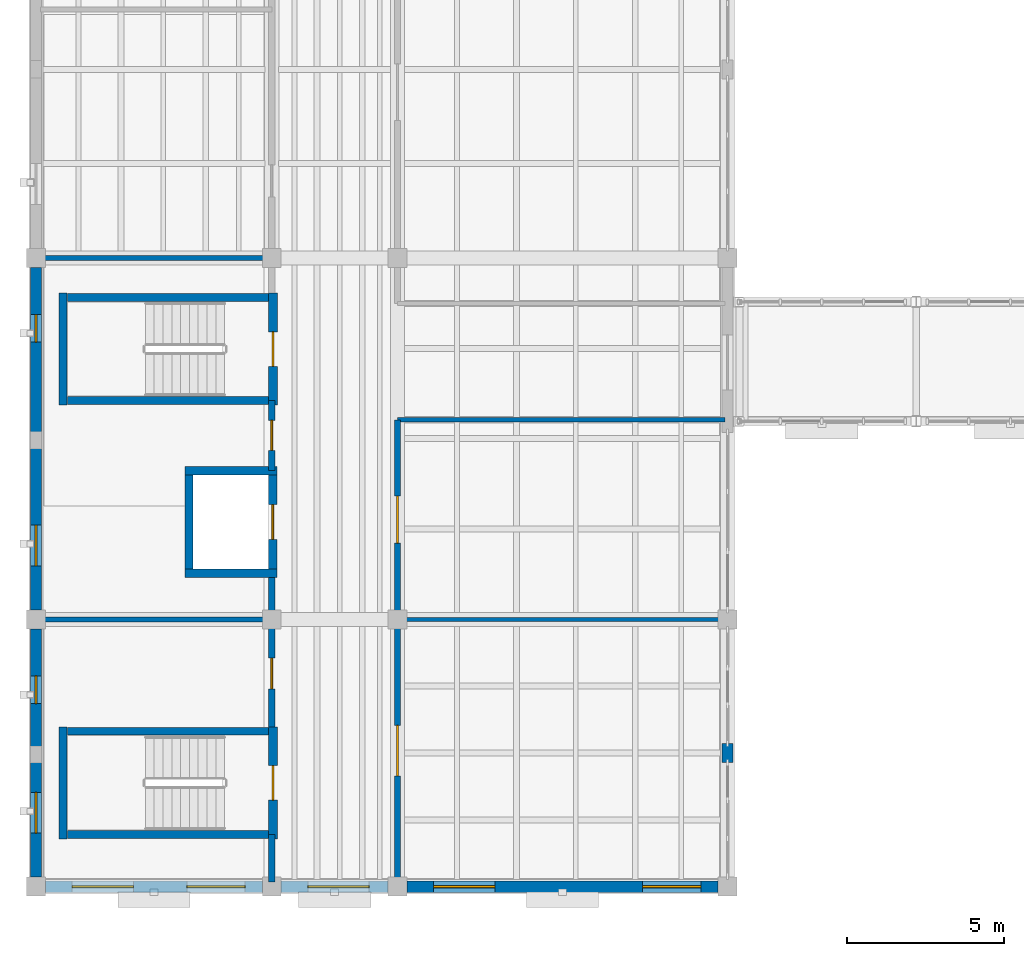
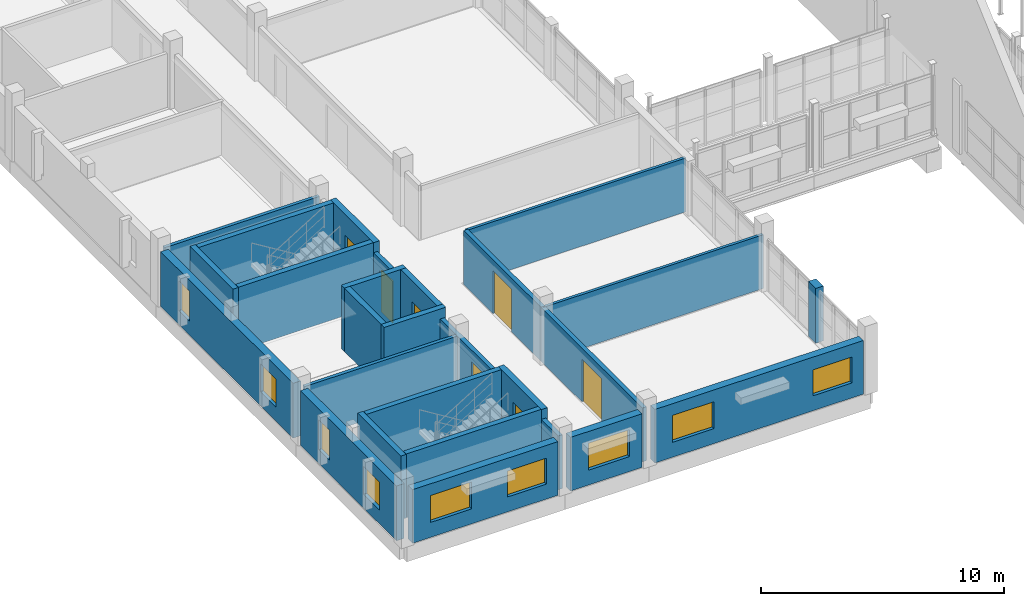
# One storey, part 60 of 77: 27 walls, 9 windows, 7 doors, 16 openings.
"""IFC4 building model written with IfcOpenShell, lengths in metres."""

from ifc_helpers import new_model, si_unit, direction, frame, frame_2d, origin, place, context, subcontext, project, spatial, rectangle, extrude, material, layer, layer_set, type_object, element, fill, save


model = new_model("IFC4")

# Units and contexts
model_context = context("Model", 3, precision=1e-05, world=origin(), true_north=direction((0.0, 1.0)))
body_context = subcontext(model_context, "Body", "Model", "MODEL_VIEW")
ifc_project = project(units=[si_unit("LENGTHUNIT", "METRE"), si_unit("AREAUNIT", "SQUARE_METRE"), si_unit("VOLUMEUNIT", "CUBIC_METRE"), si_unit("PLANEANGLEUNIT", "RADIAN"), si_unit("MASSUNIT", "GRAM", prefix="KILO")], contexts=[model_context])

# Site, building, storey
site_placement = place(None, origin())
site = spatial("IfcSite", under=ifc_project, at=site_placement, CompositionType="ELEMENT")
building_placement = place(site_placement, origin())
building = spatial("IfcBuilding", under=site, at=building_placement, Name="Trellovar Central Fire Station", CompositionType="ELEMENT")
storey_placement = place(building_placement, frame((0.0, 0.0, 5.85009765625)))
storey = spatial("IfcBuildingStorey", under=building, at=storey_placement, Name="L02", CompositionType="ELEMENT", Elevation=5.85009765625)

# Wall, openings, windows
ifc_material_1 = material(Name="Textured desert sandstone masonry", Category="masonry")
ifc_layer_1 = layer(ifc_material_1, 0.360107421875)
ifc_layer_set_1 = layer_set([ifc_layer_1], Name="Textured desert sandstone masonry")
wall_type_1 = type_object("IfcWallType", Name="EW-8", PredefinedType="STANDARD", material=ifc_layer_set_1)
wall_1_placement = place(storey_placement, frame((1.300048828125, 9.0, 0.0), z_axis=(0.0, 0.0, 1.0), x_axis=(1.0, 0.0, 0.0)))
wall_1 = element("IfcWall", 1, at=wall_1_placement, inside=storey, type_object=wall_type_1, Name="V4 L02 south wall 1", PredefinedType="STANDARD", context=body_context, shape_type="SweptSolid", body=[
    extrude(rectangle(XDim=6.89990234375, YDim=0.360107421875, at=frame_2d((3.449951171875, 0.0))), origin(), (0.0, 0.0, 1.0), 2.68994140625),
])
opening_1_placement = place(wall_1_placement, frame((0.85009765625, 0.0, 0.75)))
opening_1 = element("IfcOpeningElement", 2, at=opening_1_placement, cuts=wall_1, Name="Opening W-04", PredefinedType="OPENING", context=body_context, shape_type="SweptSolid", body=[
    extrude(rectangle(XDim=1.949951171875, YDim=1.35009765625, at=frame_2d((0.97509765625, 0.675048828125))), frame((0.0, 0.18994140625, 0.0), z_axis=(0.0, -1.0, 0.0), x_axis=(1.0, 0.0, 0.0)), (0.0, 0.0, 1.0), 0.380126953125),
])
opening_2_placement = place(wall_1_placement, frame((4.5, 0.0, 0.75)))
opening_2 = element("IfcOpeningElement", 3, at=opening_2_placement, cuts=wall_1, Name="Opening W-13", PredefinedType="OPENING", context=body_context, shape_type="SweptSolid", body=[
    extrude(rectangle(XDim=1.85009765625, YDim=1.300048828125, at=frame_2d((0.925048828125, 0.64990234375))), frame((0.0, 0.18994140625, 0.0), z_axis=(0.0, -1.0, 0.0), x_axis=(1.0, 0.0, 0.0)), (0.0, 0.0, 1.0), 0.380126953125),
])
ifc_material_2 = material(Name="Thermally broken bronze anodized aluminum", Category="aluminium")
window_type_1 = type_object("IfcWindowType", Name="WIN-04", PartitioningType="DOUBLE_PANEL_HORIZONTAL", PredefinedType="WINDOW", material=ifc_material_2)
window_1_placement = place(opening_1_placement, origin())
window_1 = element("IfcWindow", 4, at=window_1_placement, inside=storey, type_object=window_type_1, Name="L02 window W-04", OverallHeight=1.35009765625, OverallWidth=1.949951171875, PartitioningType="DOUBLE_PANEL_HORIZONTAL", PredefinedType="WINDOW", context=body_context, shape_type="SweptSolid", body=[
    extrude(rectangle(XDim=1.949951171875, YDim=1.35009765625, at=frame_2d((0.97509765625, 0.675048828125))), frame((0.0, 0.030029296875, 0.0), z_axis=(0.0, -1.0, 0.0), x_axis=(1.0, 0.0, 0.0)), (0.0, 0.0, 1.0), 0.06005859375),
])
fill(opening_1, window_1)
ifc_material_3 = material(Name="Thermally broken bronze anodized aluminum", Category="aluminium")
window_type_2 = type_object("IfcWindowType", Name="WIN-13", PartitioningType="DOUBLE_PANEL_HORIZONTAL", PredefinedType="WINDOW", material=ifc_material_3)
window_2_placement = place(opening_2_placement, origin())
window_2 = element("IfcWindow", 5, at=window_2_placement, inside=storey, type_object=window_type_2, Name="L02 window W-13", OverallHeight=1.300048828125, OverallWidth=1.85009765625, PartitioningType="DOUBLE_PANEL_HORIZONTAL", PredefinedType="WINDOW", context=body_context, shape_type="SweptSolid", body=[
    extrude(rectangle(XDim=1.85009765625, YDim=1.300048828125, at=frame_2d((0.925048828125, 0.64990234375))), frame((0.0, 0.030029296875, 0.0), z_axis=(0.0, -1.0, 0.0), x_axis=(1.0, 0.0, 0.0)), (0.0, 0.0, 1.0), 0.06005859375),
])
fill(opening_2, window_2)

# Wall, opening, window
wall_2_placement = place(storey_placement, frame((8.800048828125, 9.0, 0.0), z_axis=(0.0, 0.0, 1.0), x_axis=(1.0, 0.0, 0.0)))
wall_2 = element("IfcWall", 6, at=wall_2_placement, inside=storey, type_object=wall_type_1, Name="V4 L02 south wall 2", PredefinedType="STANDARD", context=body_context, shape_type="SweptSolid", body=[
    extrude(rectangle(XDim=3.39990234375, YDim=0.360107421875, at=frame_2d((1.699951171875, 0.0))), origin(), (0.0, 0.0, 1.0), 2.68994140625),
])
opening_3_placement = place(wall_2_placement, frame((0.85009765625, 0.0, 0.75)))
opening_3 = element("IfcOpeningElement", 7, at=opening_3_placement, cuts=wall_2, Name="Opening W-04", PredefinedType="OPENING", context=body_context, shape_type="SweptSolid", body=[
    extrude(rectangle(XDim=1.949951171875, YDim=1.35009765625, at=frame_2d((0.97509765625, 0.675048828125))), frame((0.0, 0.18994140625, 0.0), z_axis=(0.0, -1.0, 0.0), x_axis=(1.0, 0.0, 0.0)), (0.0, 0.0, 1.0), 0.380126953125),
])
window_3_placement = place(opening_3_placement, origin())
window_3 = element("IfcWindow", 8, at=window_3_placement, inside=storey, type_object=window_type_1, Name="L02 window W-04", OverallHeight=1.35009765625, OverallWidth=1.949951171875, PartitioningType="DOUBLE_PANEL_HORIZONTAL", PredefinedType="WINDOW", context=body_context, shape_type="SweptSolid", body=[
    extrude(rectangle(XDim=1.949951171875, YDim=1.35009765625, at=frame_2d((0.97509765625, 0.675048828125))), frame((0.0, 0.030029296875, 0.0), z_axis=(0.0, -1.0, 0.0), x_axis=(1.0, 0.0, 0.0)), (0.0, 0.0, 1.0), 0.06005859375),
])
fill(opening_3, window_3)

# Wall, openings, windows
wall_3_placement = place(storey_placement, frame((12.800048828125, 9.0, 0.0), z_axis=(0.0, 0.0, 1.0), x_axis=(1.0, 0.0, 0.0)))
wall_3 = element("IfcWall", 9, at=wall_3_placement, inside=storey, type_object=wall_type_1, Name="V4 L02 south wall 3", PredefinedType="STANDARD", context=body_context, shape_type="SweptSolid", body=[
    extrude(rectangle(XDim=9.89990234375, YDim=0.360107421875, at=frame_2d((4.949951171875, 0.0))), origin(), (0.0, 0.0, 1.0), 2.68994140625),
])
opening_4_placement = place(wall_3_placement, frame((0.85009765625, 0.0, 0.75)))
opening_4 = element("IfcOpeningElement", 10, at=opening_4_placement, cuts=wall_3, Name="Opening W-04", PredefinedType="OPENING", context=body_context, shape_type="SweptSolid", body=[
    extrude(rectangle(XDim=1.949951171875, YDim=1.35009765625, at=frame_2d((0.97509765625, 0.675048828125))), frame((0.0, 0.18994140625, 0.0), z_axis=(0.0, -1.0, 0.0), x_axis=(1.0, 0.0, 0.0)), (0.0, 0.0, 1.0), 0.380126953125),
])
opening_5_placement = place(wall_3_placement, frame((7.5, 0.0, 0.75)))
opening_5 = element("IfcOpeningElement", 11, at=opening_5_placement, cuts=wall_3, Name="Opening W-13", PredefinedType="OPENING", context=body_context, shape_type="SweptSolid", body=[
    extrude(rectangle(XDim=1.85009765625, YDim=1.300048828125, at=frame_2d((0.925048828125, 0.64990234375))), frame((0.0, 0.18994140625, 0.0), z_axis=(0.0, -1.0, 0.0), x_axis=(1.0, 0.0, 0.0)), (0.0, 0.0, 1.0), 0.380126953125),
])
window_4_placement = place(opening_4_placement, origin())
window_4 = element("IfcWindow", 12, at=window_4_placement, inside=storey, type_object=window_type_1, Name="L02 window W-04", OverallHeight=1.35009765625, OverallWidth=1.949951171875, PartitioningType="DOUBLE_PANEL_HORIZONTAL", PredefinedType="WINDOW", context=body_context, shape_type="SweptSolid", body=[
    extrude(rectangle(XDim=1.949951171875, YDim=1.35009765625, at=frame_2d((0.97509765625, 0.675048828125))), frame((0.0, 0.030029296875, 0.0), z_axis=(0.0, -1.0, 0.0), x_axis=(1.0, 0.0, 0.0)), (0.0, 0.0, 1.0), 0.06005859375),
])
fill(opening_4, window_4)
window_5_placement = place(opening_5_placement, origin())
window_5 = element("IfcWindow", 13, at=window_5_placement, inside=storey, type_object=window_type_2, Name="L02 window W-13", OverallHeight=1.300048828125, OverallWidth=1.85009765625, PartitioningType="DOUBLE_PANEL_HORIZONTAL", PredefinedType="WINDOW", context=body_context, shape_type="SweptSolid", body=[
    extrude(rectangle(XDim=1.85009765625, YDim=1.300048828125, at=frame_2d((0.925048828125, 0.64990234375))), frame((0.0, 0.030029296875, 0.0), z_axis=(0.0, -1.0, 0.0), x_axis=(1.0, 0.0, 0.0)), (0.0, 0.0, 1.0), 0.06005859375),
])
fill(opening_5, window_5)

wall_4_placement = place(storey_placement, frame((1.0, 17.199951171875, 0.0), z_axis=(0.0, 0.0, 1.0), x_axis=(0.0, -1.0, 0.0)))
wall_4 = element("IfcWall", 14, at=wall_4_placement, inside=storey, type_object=wall_type_1, Name="V4 L02 west wall", PredefinedType="STANDARD", context=body_context, shape_type="SweptSolid", body=[
    extrude(rectangle(XDim=7.89990234375, YDim=0.360107421875, at=frame_2d((3.949951171875, 0.0))), origin(), (0.0, 0.0, 1.0), 2.75),
])
opening_6_placement = place(wall_4_placement, frame((1.5, 0.0, 0.699951171875)))
opening_6 = element("IfcOpeningElement", 15, at=opening_6_placement, cuts=wall_4, Name="Opening W-07", PredefinedType="OPENING", context=body_context, shape_type="SweptSolid", body=[
    extrude(rectangle(XDim=0.8798828125, YDim=1.5, at=frame_2d((0.43994140625, 0.75))), frame((0.0, 0.18994140625, 0.0), z_axis=(0.0, -1.0, 0.0), x_axis=(1.0, 0.0, 0.0)), (0.0, 0.0, 1.0), 0.380126953125),
])
opening_7_placement = place(wall_4_placement, frame((5.199951171875, 0.0, 0.699951171875)))
opening_7 = element("IfcOpeningElement", 16, at=opening_7_placement, cuts=wall_4, Name="Opening W-09", PredefinedType="OPENING", context=body_context, shape_type="SweptSolid", body=[
    extrude(rectangle(XDim=1.300048828125, YDim=1.39990234375, at=frame_2d((0.64990234375, 0.699951171875))), frame((0.0, 0.18994140625, 0.0), z_axis=(0.0, -1.0, 0.0), x_axis=(1.0, 0.0, 0.0)), (0.0, 0.0, 1.0), 0.380126953125),
])
ifc_material_4 = material(Name="Thermally broken bronze anodized aluminum", Category="aluminium")
window_type_3 = type_object("IfcWindowType", Name="WIN-07", PartitioningType="SINGLE_PANEL", PredefinedType="WINDOW", material=ifc_material_4)
window_6_placement = place(opening_6_placement, origin())
window_6 = element("IfcWindow", 17, at=window_6_placement, inside=storey, type_object=window_type_3, Name="L02 window W-07", OverallHeight=1.5, OverallWidth=0.8798828125, PartitioningType="SINGLE_PANEL", PredefinedType="WINDOW", context=body_context, shape_type="SweptSolid", body=[
    extrude(rectangle(XDim=0.8798828125, YDim=1.5, at=frame_2d((0.43994140625, 0.75))), frame((0.0, 0.030029296875, 0.0), z_axis=(0.0, -1.0, 0.0), x_axis=(1.0, 0.0, 0.0)), (0.0, 0.0, 1.0), 0.06005859375),
])
fill(opening_6, window_6)
ifc_material_5 = material(Name="Thermally broken bronze anodized aluminum", Category="aluminium")
window_type_4 = type_object("IfcWindowType", Name="WIN-09", PartitioningType="SINGLE_PANEL", PredefinedType="WINDOW", material=ifc_material_5)
window_7_placement = place(opening_7_placement, origin())
window_7 = element("IfcWindow", 18, at=window_7_placement, inside=storey, type_object=window_type_4, Name="L02 window W-09", OverallHeight=1.39990234375, OverallWidth=1.300048828125, PartitioningType="SINGLE_PANEL", PredefinedType="WINDOW", context=body_context, shape_type="SweptSolid", body=[
    extrude(rectangle(XDim=1.300048828125, YDim=1.39990234375, at=frame_2d((0.64990234375, 0.699951171875))), frame((0.0, 0.030029296875, 0.0), z_axis=(0.0, -1.0, 0.0), x_axis=(1.0, 0.0, 0.0)), (0.0, 0.0, 1.0), 0.06005859375),
])
fill(opening_7, window_7)

wall_5_placement = place(storey_placement, frame((1.0, 28.699951171875, 0.0), z_axis=(0.0, 0.0, 1.0), x_axis=(0.0, -1.0, 0.0)))
wall_5 = element("IfcWall", 19, at=wall_5_placement, inside=storey, type_object=wall_type_1, Name="V4 L02 west wall", PredefinedType="STANDARD", context=body_context, shape_type="SweptSolid", body=[
    extrude(rectangle(XDim=10.89990234375, YDim=0.360107421875, at=frame_2d((5.449951171875, 0.0))), origin(), (0.0, 0.0, 1.0), 2.75),
])
opening_8_placement = place(wall_5_placement, frame((1.5, 0.0, 0.699951171875)))
opening_8 = element("IfcOpeningElement", 20, at=opening_8_placement, cuts=wall_5, Name="Opening W-07", PredefinedType="OPENING", context=body_context, shape_type="SweptSolid", body=[
    extrude(rectangle(XDim=0.8798828125, YDim=1.5, at=frame_2d((0.43994140625, 0.75))), frame((0.0, 0.18994140625, 0.0), z_axis=(0.0, -1.0, 0.0), x_axis=(1.0, 0.0, 0.0)), (0.0, 0.0, 1.0), 0.380126953125),
])
opening_9_placement = place(wall_5_placement, frame((8.199951171875, 0.0, 0.699951171875)))
opening_9 = element("IfcOpeningElement", 21, at=opening_9_placement, cuts=wall_5, Name="Opening W-09", PredefinedType="OPENING", context=body_context, shape_type="SweptSolid", body=[
    extrude(rectangle(XDim=1.300048828125, YDim=1.39990234375, at=frame_2d((0.64990234375, 0.699951171875))), frame((0.0, 0.18994140625, 0.0), z_axis=(0.0, -1.0, 0.0), x_axis=(1.0, 0.0, 0.0)), (0.0, 0.0, 1.0), 0.380126953125),
])
window_8_placement = place(opening_8_placement, origin())
window_8 = element("IfcWindow", 22, at=window_8_placement, inside=storey, type_object=window_type_3, Name="L02 window W-07", OverallHeight=1.5, OverallWidth=0.8798828125, PartitioningType="SINGLE_PANEL", PredefinedType="WINDOW", context=body_context, shape_type="SweptSolid", body=[
    extrude(rectangle(XDim=0.8798828125, YDim=1.5, at=frame_2d((0.43994140625, 0.75))), frame((0.0, 0.030029296875, 0.0), z_axis=(0.0, -1.0, 0.0), x_axis=(1.0, 0.0, 0.0)), (0.0, 0.0, 1.0), 0.06005859375),
])
fill(opening_8, window_8)
window_9_placement = place(opening_9_placement, origin())
window_9 = element("IfcWindow", 23, at=window_9_placement, inside=storey, type_object=window_type_4, Name="L02 window W-09", OverallHeight=1.39990234375, OverallWidth=1.300048828125, PartitioningType="SINGLE_PANEL", PredefinedType="WINDOW", context=body_context, shape_type="SweptSolid", body=[
    extrude(rectangle(XDim=1.300048828125, YDim=1.39990234375, at=frame_2d((0.64990234375, 0.699951171875))), frame((0.0, 0.030029296875, 0.0), z_axis=(0.0, -1.0, 0.0), x_axis=(1.0, 0.0, 0.0)), (0.0, 0.0, 1.0), 0.06005859375),
])
fill(opening_9, window_9)

# Walls
wall_6_placement = place(storey_placement, frame((23.0, 12.949951171875, 0.0), z_axis=(0.0, 0.0, 1.0), x_axis=(0.0, 1.0, 0.0)))
element("IfcWall", 24, at=wall_6_placement, inside=storey, type_object=wall_type_1, Name="V4 L02 courtyard mullion pier", PredefinedType="STANDARD", context=body_context, shape_type="SweptSolid", body=[
    extrude(rectangle(XDim=0.60009765625, YDim=0.360107421875, at=frame_2d((0.300048828125, 0.0))), origin(), (0.0, 0.0, 1.0), 2.75),
])
ifc_material_6 = material(Name="Acoustic concrete masonry unit", Category="masonry")
ifc_layer_2 = layer(ifc_material_6, 0.199951171875)
ifc_layer_set_2 = layer_set([ifc_layer_2], Name="Acoustic concrete masonry unit")
wall_type_2 = type_object("IfcWallType", Name="PT-1", PredefinedType="PARTITIONING", material=ifc_layer_set_2)
wall_7_placement = place(storey_placement, frame((8.5, 9.14990234375, 0.0), z_axis=(0.0, 0.0, 1.0), x_axis=(0.0, 1.0, 0.0)))
element("IfcWall", 25, at=wall_7_placement, inside=storey, type_object=wall_type_2, Name="V4 L02 west corridor spine 1", PredefinedType="PARTITIONING", context=body_context, shape_type="SweptSolid", body=[
    extrude(rectangle(XDim=1.510009765625, YDim=0.199951171875, at=frame_2d((0.7548828125, 0.0))), origin(), (0.0, 0.0, 1.0), 2.699951171875),
])

# Wall, opening, door
wall_8_placement = place(storey_placement, frame((8.5, 13.93994140625, 0.0), z_axis=(0.0, 0.0, 1.0), x_axis=(0.0, 1.0, 0.0)))
wall_8 = element("IfcWall", 26, at=wall_8_placement, inside=storey, type_object=wall_type_2, Name="V4 L02 west corridor spine 2", PredefinedType="PARTITIONING", context=body_context, shape_type="SweptSolid", body=[
    extrude(rectangle(XDim=5.030029296875, YDim=0.199951171875, at=frame_2d((2.51513671875, 0.0))), origin(), (0.0, 0.0, 1.0), 2.699951171875),
])
opening_10_placement = place(wall_8_placement, frame((1.35009765625, 0.0, 0.0)))
opening_10 = element("IfcOpeningElement", 27, at=opening_10_placement, cuts=wall_8, Name="Opening ID-7", PredefinedType="OPENING", context=body_context, shape_type="SweptSolid", body=[
    extrude(rectangle(XDim=0.97998046875, YDim=2.1201171875, at=frame_2d((0.489990234375, 1.06005859375))), frame((0.0, 0.10986328125, 0.0), z_axis=(0.0, -1.0, 0.0), x_axis=(1.0, 0.0, 0.0)), (0.0, 0.0, 1.0), 0.219970703125),
])
ifc_material_7 = material(Name="Solid core acoustic white oak veneer", Category="wood")
door_type_1 = type_object("IfcDoorType", Name="DR-INT7", OperationType="SINGLE_SWING_LEFT", PredefinedType="DOOR", material=ifc_material_7)
door_1_placement = place(opening_10_placement, origin())
door_1 = element("IfcDoor", 28, at=door_1_placement, inside=storey, type_object=door_type_1, Name="V4 L02 SW room door", OperationType="SINGLE_SWING_RIGHT", OverallHeight=2.1201171875, OverallWidth=0.97998046875, PredefinedType="DOOR", context=body_context, shape_type="SweptSolid", body=[
    extrude(rectangle(XDim=0.97998046875, YDim=2.1201171875, at=frame_2d((0.489990234375, 1.06005859375))), frame((0.0, 0.02490234375, 0.0), z_axis=(0.0, -1.0, 0.0), x_axis=(1.0, 0.0, 0.0)), (0.0, 0.0, 1.0), 0.050048828125),
])
fill(opening_10, door_1)

wall_9_placement = place(storey_placement, frame((8.5, 22.22998046875, 0.0), z_axis=(0.0, 0.0, 1.0), x_axis=(0.0, 1.0, 0.0)))
wall_9 = element("IfcWall", 29, at=wall_9_placement, inside=storey, type_object=wall_type_2, Name="V4 L02 west corridor spine 3", PredefinedType="PARTITIONING", context=body_context, shape_type="SweptSolid", body=[
    extrude(rectangle(XDim=2.22998046875, YDim=0.199951171875, at=frame_2d((1.114990234375, 0.0))), origin(), (0.0, 0.0, 1.0), 2.699951171875),
])
opening_11_placement = place(wall_9_placement, frame((0.64990234375, 0.0, 0.0)))
opening_11 = element("IfcOpeningElement", 30, at=opening_11_placement, cuts=wall_9, Name="Opening ID-2", PredefinedType="OPENING", context=body_context, shape_type="SweptSolid", body=[
    extrude(rectangle(XDim=0.949951171875, YDim=2.10009765625, at=frame_2d((0.47509765625, 1.050048828125))), frame((0.0, 0.10986328125, 0.0), z_axis=(0.0, -1.0, 0.0), x_axis=(1.0, 0.0, 0.0)), (0.0, 0.0, 1.0), 0.219970703125),
])
ifc_material_8 = material(Name="Solid core acoustic white oak veneer", Category="wood")
door_type_2 = type_object("IfcDoorType", Name="DR-INT2", OperationType="SINGLE_SWING_LEFT", PredefinedType="DOOR", material=ifc_material_8)
door_2_placement = place(opening_11_placement, origin())
door_2 = element("IfcDoor", 31, at=door_2_placement, inside=storey, type_object=door_type_2, Name="V4 L02 mid-west room door", OperationType="SINGLE_SWING_LEFT", OverallHeight=2.10009765625, OverallWidth=0.949951171875, PredefinedType="DOOR", context=body_context, shape_type="SweptSolid", body=[
    extrude(rectangle(XDim=0.949951171875, YDim=2.10009765625, at=frame_2d((0.47509765625, 1.050048828125))), frame((0.0, 0.02490234375, 0.0), z_axis=(0.0, -1.0, 0.0), x_axis=(1.0, 0.0, 0.0)), (0.0, 0.0, 1.0), 0.050048828125),
])
fill(opening_11, door_2)

wall_10_placement = place(storey_placement, frame((12.5, 9.14990234375, 0.0), z_axis=(0.0, 0.0, 1.0), x_axis=(0.0, 1.0, 0.0)))
wall_10 = element("IfcWall", 32, at=wall_10_placement, inside=storey, type_object=wall_type_2, Name="V4 L02 east corridor spine", PredefinedType="PARTITIONING", context=body_context, shape_type="SweptSolid", body=[
    extrude(rectangle(XDim=8.35009765625, YDim=0.199951171875, at=frame_2d((4.175048828125, 0.0))), origin(), (0.0, 0.0, 1.0), 2.699951171875),
])
opening_12_placement = place(wall_10_placement, frame((3.375, 0.0, 0.0)))
opening_12 = element("IfcOpeningElement", 33, at=opening_12_placement, cuts=wall_10, Name="Opening ID-4", PredefinedType="OPENING", context=body_context, shape_type="SweptSolid", body=[
    extrude(rectangle(XDim=1.60009765625, YDim=2.139892578125, at=frame_2d((0.800048828125, 1.06982421875))), frame((0.0, 0.10986328125, 0.0), z_axis=(0.0, -1.0, 0.0), x_axis=(1.0, 0.0, 0.0)), (0.0, 0.0, 1.0), 0.219970703125),
])
ifc_material_9 = material(Name="Solid core acoustic white oak veneer", Category="wood")
door_type_3 = type_object("IfcDoorType", Name="DR-INT4", OperationType="DOUBLE_DOOR_SINGLE_SWING", PredefinedType="DOOR", material=ifc_material_9)
door_3_placement = place(opening_12_placement, origin())
door_3 = element("IfcDoor", 34, at=door_3_placement, inside=storey, type_object=door_type_3, Name="V4 L02 east room door", OperationType="DOUBLE_DOOR_SINGLE_SWING", OverallHeight=2.139892578125, OverallWidth=1.60009765625, PredefinedType="DOOR", context=body_context, shape_type="SweptSolid", body=[
    extrude(rectangle(XDim=1.60009765625, YDim=2.139892578125, at=frame_2d((0.800048828125, 1.06982421875))), frame((0.0, 0.02490234375, 0.0), z_axis=(0.0, -1.0, 0.0), x_axis=(1.0, 0.0, 0.0)), (0.0, 0.0, 1.0), 0.050048828125),
])
fill(opening_12, door_3)

wall_11_placement = place(storey_placement, frame((12.5, 17.5, 0.0), z_axis=(0.0, 0.0, 1.0), x_axis=(0.0, 1.0, 0.0)))
wall_11 = element("IfcWall", 35, at=wall_11_placement, inside=storey, type_object=wall_type_2, Name="V4 L02 east corridor spine", PredefinedType="PARTITIONING", context=body_context, shape_type="SweptSolid", body=[
    extrude(rectangle(XDim=6.35009765625, YDim=0.199951171875, at=frame_2d((3.175048828125, 0.0))), origin(), (0.0, 0.0, 1.0), 2.699951171875),
])
opening_13_placement = place(wall_11_placement, frame((2.425048828125, 0.0, 0.0)))
opening_13 = element("IfcOpeningElement", 36, at=opening_13_placement, cuts=wall_11, Name="Opening ID-9", PredefinedType="OPENING", context=body_context, shape_type="SweptSolid", body=[
    extrude(rectangle(XDim=1.5, YDim=2.14990234375, at=frame_2d((0.75, 1.074951171875))), frame((0.0, 0.10986328125, 0.0), z_axis=(0.0, -1.0, 0.0), x_axis=(1.0, 0.0, 0.0)), (0.0, 0.0, 1.0), 0.219970703125),
])
ifc_material_10 = material(Name="Solid core acoustic white oak veneer", Category="wood")
door_type_4 = type_object("IfcDoorType", Name="DR-INT9", OperationType="DOUBLE_DOOR_SINGLE_SWING", PredefinedType="DOOR", material=ifc_material_10)
door_4_placement = place(opening_13_placement, origin())
door_4 = element("IfcDoor", 37, at=door_4_placement, inside=storey, type_object=door_type_4, Name="V4 L02 east room door", OperationType="DOUBLE_DOOR_SINGLE_SWING", OverallHeight=2.14990234375, OverallWidth=1.5, PredefinedType="DOOR", context=body_context, shape_type="SweptSolid", body=[
    extrude(rectangle(XDim=1.5, YDim=2.14990234375, at=frame_2d((0.75, 1.074951171875))), frame((0.0, 0.02490234375, 0.0), z_axis=(0.0, -1.0, 0.0), x_axis=(1.0, 0.0, 0.0)), (0.0, 0.0, 1.0), 0.050048828125),
])
fill(opening_13, door_4)

# Walls
ifc_material_11 = material(Name="Acoustic concrete masonry unit", Category="masonry")
ifc_layer_3 = layer(ifc_material_11, 0.159912109375)
ifc_layer_set_3 = layer_set([ifc_layer_3], Name="Acoustic concrete masonry unit")
wall_type_3 = type_object("IfcWallType", Name="PT-2", PredefinedType="PARTITIONING", material=ifc_layer_set_3)
for number, where, z_axis, x_axis, name in (
    (38, (1.14990234375, 17.5, 0.0), (0.0, 0.0, 1.0), (1.0, 0.0, 0.0), "V4 L02 west divider Y=17.5"),
    (39, (1.14990234375, 29.0, 0.0), (0.0, 0.0, 1.0), (1.0, 0.0, 0.0), "V4 L02 west divider Y=29.0"),
):
    element("IfcWall", number, at=place(storey_placement, frame(where, z_axis=z_axis, x_axis=x_axis)), inside=storey, type_object=wall_type_3, Name=name, PredefinedType="PARTITIONING", context=body_context, shape_type="SweptSolid", body=[
        extrude(rectangle(XDim=7.35009765625, YDim=0.159912109375, at=frame_2d((3.675048828125, 0.0))), origin(), (0.0, 0.0, 1.0), 2.699951171875),
    ])
ifc_material_12 = material(Name="Fire-rated acoustic gypsum stud partition", Category="gypsum")
ifc_layer_4 = layer(ifc_material_12, 0.135009765625)
ifc_layer_set_4 = layer_set([ifc_layer_4], Name="Fire-rated acoustic gypsum stud partition")
wall_type_4 = type_object("IfcWallType", Name="PT-7", PredefinedType="PARTITIONING", material=ifc_layer_set_4)
for number, where, z_axis, x_axis, name in (
    (40, (12.5, 17.5, 0.0), (0.0, 0.0, 1.0), (1.0, 0.0, 0.0), "V4 L02 east room divider Y=17.50"),
    (41, (12.5, 23.85009765625, 0.0), (0.0, 0.0, 1.0), (1.0, 0.0, 0.0), "V4 L02 east room divider Y=23.85"),
):
    element("IfcWall", number, at=place(storey_placement, frame(where, z_axis=z_axis, x_axis=x_axis)), inside=storey, type_object=wall_type_4, Name=name, PredefinedType="PARTITIONING", context=body_context, shape_type="SweptSolid", body=[
        extrude(rectangle(XDim=10.419921875, YDim=0.135009765625, at=frame_2d((5.2099609375, 0.0))), origin(), (0.0, 0.0, 1.0), 2.699951171875),
    ])

# Wall, opening, door
ifc_material_13 = material(Name="Concrete C40/50", Category="concrete")
ifc_layer_5 = layer(ifc_material_13, 0.280029296875)
ifc_layer_set_5 = layer_set([ifc_layer_5], Name="Concrete C40/50")
wall_type_5 = type_object("IfcWallType", Name="SW-1", PredefinedType="SHEAR", material=ifc_layer_set_5)
wall_12_placement = place(storey_placement, frame((8.5400390625, 14.080078125, 0.0), z_axis=(0.0, 0.0, 1.0), x_axis=(0.0, -1.0, 0.0)))
wall_12 = element("IfcWall", 42, at=wall_12_placement, inside=storey, type_object=wall_type_5, Name="Stair ST-03 L02 front corridor wall", PredefinedType="SHEAR", context=body_context, shape_type="SweptSolid", body=[
    extrude(rectangle(XDim=3.56005859375, YDim=0.280029296875, at=frame_2d((1.780029296875, 0.0))), origin(), (0.0, 0.0, 1.0), 3.199951171875),
])
opening_14_placement = place(wall_12_placement, frame((1.22998046875, 0.0, 0.0)))
opening_14 = element("IfcOpeningElement", 43, at=opening_14_placement, cuts=wall_12, Name="Opening SD-2", PredefinedType="OPENING", context=body_context, shape_type="SweptSolid", body=[
    extrude(rectangle(XDim=1.10009765625, YDim=2.14990234375, at=frame_2d((0.550048828125, 1.074951171875))), frame((0.0, 0.14990234375, 0.0), z_axis=(0.0, -1.0, 0.0), x_axis=(1.0, 0.0, 0.0)), (0.0, 0.0, 1.0), 0.300048828125),
])
ifc_material_14 = material(Name="Hollow galvanized steel with acoustic core", Category="steel")
door_type_5 = type_object("IfcDoorType", Name="DR-STR2", OperationType="SINGLE_SWING_LEFT", PredefinedType="DOOR", material=ifc_material_14)
door_5_placement = place(opening_14_placement, origin())
door_5 = element("IfcDoor", 44, at=door_5_placement, inside=storey, type_object=door_type_5, Name="Stair ST-03 L02 fire door", OperationType="SINGLE_SWING_RIGHT", OverallHeight=2.14990234375, OverallWidth=1.10009765625, PredefinedType="DOOR", context=body_context, shape_type="SweptSolid", body=[
    extrude(rectangle(XDim=1.10009765625, YDim=2.14990234375, at=frame_2d((0.550048828125, 1.074951171875))), frame((0.0, 0.02490234375, 0.0), z_axis=(0.0, -1.0, 0.0), x_axis=(1.0, 0.0, 0.0)), (0.0, 0.0, 1.0), 0.050048828125),
])
fill(opening_14, door_5)

wall_13_placement = place(storey_placement, frame((8.5400390625, 27.8798828125, 0.0), z_axis=(0.0, 0.0, 1.0), x_axis=(0.0, -1.0, 0.0)))
wall_13 = element("IfcWall", 45, at=wall_13_placement, inside=storey, type_object=wall_type_5, Name="Stair ST-04 L02 front corridor wall", PredefinedType="SHEAR", context=body_context, shape_type="SweptSolid", body=[
    extrude(rectangle(XDim=3.559814453125, YDim=0.280029296875, at=frame_2d((1.77978515625, 0.0))), origin(), (0.0, 0.0, 1.0), 3.199951171875),
])
opening_15_placement = place(wall_13_placement, frame((1.22998046875, 0.0, 0.0)))
opening_15 = element("IfcOpeningElement", 46, at=opening_15_placement, cuts=wall_13, Name="Opening SD-2", PredefinedType="OPENING", context=body_context, shape_type="SweptSolid", body=[
    extrude(rectangle(XDim=1.10009765625, YDim=2.14990234375, at=frame_2d((0.550048828125, 1.074951171875))), frame((0.0, 0.14990234375, 0.0), z_axis=(0.0, -1.0, 0.0), x_axis=(1.0, 0.0, 0.0)), (0.0, 0.0, 1.0), 0.300048828125),
])
door_6_placement = place(opening_15_placement, origin())
door_6 = element("IfcDoor", 47, at=door_6_placement, inside=storey, type_object=door_type_5, Name="Stair ST-04 L02 fire door", OperationType="SINGLE_SWING_RIGHT", OverallHeight=2.14990234375, OverallWidth=1.10009765625, PredefinedType="DOOR", context=body_context, shape_type="SweptSolid", body=[
    extrude(rectangle(XDim=1.10009765625, YDim=2.14990234375, at=frame_2d((0.550048828125, 1.074951171875))), frame((0.0, 0.02490234375, 0.0), z_axis=(0.0, -1.0, 0.0), x_axis=(1.0, 0.0, 0.0)), (0.0, 0.0, 1.0), 0.050048828125),
])
fill(opening_15, door_6)

# Walls
ifc_material_15 = material(Name="Concrete C40/50", Category="concrete")
ifc_layer_6 = layer(ifc_material_15, 0.25)
ifc_layer_set_6 = layer_set([ifc_layer_6], Name="Concrete C40/50")
wall_type_6 = type_object("IfcWallType", Name="SW-2", PredefinedType="SHEAR", material=ifc_layer_set_6)
wall_14_placement = place(storey_placement, frame((1.860107421875, 10.52001953125, 0.0), z_axis=(0.0, 0.0, 1.0), x_axis=(0.0, 1.0, 0.0)))
element("IfcWall", 48, at=wall_14_placement, inside=storey, type_object=wall_type_6, Name="Stair ST-03 L02 rear wall", PredefinedType="SHEAR", context=body_context, shape_type="SweptSolid", body=[
    extrude(rectangle(XDim=3.56005859375, YDim=0.25, at=frame_2d((1.780029296875, 0.0))), origin(), (0.0, 0.0, 1.0), 3.199951171875),
])
for number, where, z_axis, x_axis, name in (
    (49, (8.39990234375, 13.93994140625, 0.0), (0.0, 0.0, 1.0), (-1.0, 0.0, 0.0), "Stair ST-03 L02 left wall"),
    (50, (2.0, 10.659912109375, 0.0), (0.0, 0.0, 1.0), (1.0, 0.0, 0.0), "Stair ST-03 L02 right wall"),
):
    element("IfcWall", number, at=place(storey_placement, frame(where, z_axis=z_axis, x_axis=x_axis)), inside=storey, type_object=wall_type_6, Name=name, PredefinedType="SHEAR", context=body_context, shape_type="SweptSolid", body=[
        extrude(rectangle(XDim=6.39990234375, YDim=0.25, at=frame_2d((3.199951171875, 0.0))), origin(), (0.0, 0.0, 1.0), 3.199951171875),
    ])
wall_15_placement = place(storey_placement, frame((1.860107421875, 24.320068359375, 0.0), z_axis=(0.0, 0.0, 1.0), x_axis=(0.0, 1.0, 0.0)))
element("IfcWall", 51, at=wall_15_placement, inside=storey, type_object=wall_type_6, Name="Stair ST-04 L02 rear wall", PredefinedType="SHEAR", context=body_context, shape_type="SweptSolid", body=[
    extrude(rectangle(XDim=3.559814453125, YDim=0.25, at=frame_2d((1.77978515625, 0.0))), origin(), (0.0, 0.0, 1.0), 3.199951171875),
])
for number, where, z_axis, x_axis, name in (
    (52, (8.39990234375, 27.739990234375, 0.0), (0.0, 0.0, 1.0), (-1.0, 0.0, 0.0), "Stair ST-04 L02 left wall"),
    (53, (2.0, 24.4599609375, 0.0), (0.0, 0.0, 1.0), (1.0, 0.0, 0.0), "Stair ST-04 L02 right wall"),
):
    element("IfcWall", number, at=place(storey_placement, frame(where, z_axis=z_axis, x_axis=x_axis)), inside=storey, type_object=wall_type_6, Name=name, PredefinedType="SHEAR", context=body_context, shape_type="SweptSolid", body=[
        extrude(rectangle(XDim=6.39990234375, YDim=0.25, at=frame_2d((3.199951171875, 0.0))), origin(), (0.0, 0.0, 1.0), 3.199951171875),
    ])
ifc_material_16 = material(Name="Concrete C40/50", Category="concrete")
ifc_layer_7 = layer(ifc_material_16, 0.260009765625)
ifc_layer_set_7 = layer_set([ifc_layer_7], Name="Concrete C40/50")
wall_type_7 = type_object("IfcWallType", Name="SW-4", PredefinedType="SHEAR", material=ifc_layer_set_7)
for number, where, z_axis, x_axis, name in (
    (54, (5.739990234375, 18.969970703125, 0.0), (0.0, 0.0, 1.0), (1.0, 0.0, 0.0), "Lift EL-03 L02 S wall"),
    (55, (8.659912109375, 22.22998046875, 0.0), (0.0, 0.0, 1.0), (-1.0, 0.0, 0.0), "Lift EL-03 L02 N wall"),
):
    element("IfcWall", number, at=place(storey_placement, frame(where, z_axis=z_axis, x_axis=x_axis)), inside=storey, type_object=wall_type_7, Name=name, PredefinedType="SHEAR", context=body_context, shape_type="SweptSolid", body=[
        extrude(rectangle(XDim=2.919921875, YDim=0.260009765625, at=frame_2d((1.4599609375, 0.0))), origin(), (0.0, 0.0, 1.0), 3.199951171875),
    ])
wall_16_placement = place(storey_placement, frame((5.8701171875, 22.10009765625, 0.0), z_axis=(0.0, 0.0, 1.0), x_axis=(0.0, -1.0, 0.0)))
element("IfcWall", 56, at=wall_16_placement, inside=storey, type_object=wall_type_7, Name="Lift EL-03 L02 W wall", PredefinedType="SHEAR", context=body_context, shape_type="SweptSolid", body=[
    extrude(rectangle(XDim=3.0, YDim=0.260009765625, at=frame_2d((1.5, 0.0))), origin(), (0.0, 0.0, 1.0), 3.199951171875),
])

# Wall, opening, door
wall_17_placement = place(storey_placement, frame((8.530029296875, 19.10009765625, 0.0), z_axis=(0.0, 0.0, 1.0), x_axis=(0.0, 1.0, 0.0)))
wall_17 = element("IfcWall", 57, at=wall_17_placement, inside=storey, type_object=wall_type_7, Name="Lift EL-03 L02 E wall", PredefinedType="SHEAR", context=body_context, shape_type="SweptSolid", body=[
    extrude(rectangle(XDim=3.0, YDim=0.260009765625, at=frame_2d((1.5, 0.0))), origin(), (0.0, 0.0, 1.0), 3.199951171875),
])
opening_16_placement = place(wall_17_placement, frame((0.949951171875, 0.0, 0.0)))
opening_16 = element("IfcOpeningElement", 58, at=opening_16_placement, cuts=wall_17, Name="Opening LD-1", PredefinedType="OPENING", context=body_context, shape_type="SweptSolid", body=[
    extrude(rectangle(XDim=1.10009765625, YDim=2.14990234375, at=frame_2d((0.550048828125, 1.074951171875))), frame((0.0, 0.139892578125, 0.0), z_axis=(0.0, -1.0, 0.0), x_axis=(1.0, 0.0, 0.0)), (0.0, 0.0, 1.0), 0.280029296875),
])
ifc_material_17 = material(Name="Brushed stainless steel", Category="steel")
door_type_6 = type_object("IfcDoorType", Name="DR-LFT1", OperationType="SLIDING_TO_LEFT", PredefinedType="DOOR", material=ifc_material_17)
door_7_placement = place(opening_16_placement, origin())
door_7 = element("IfcDoor", 59, at=door_7_placement, inside=storey, type_object=door_type_6, Name="Elevator EL-03 L02 sliding landing door", OperationType="SLIDING_TO_LEFT", OverallHeight=2.14990234375, OverallWidth=1.10009765625, PredefinedType="DOOR", context=body_context, shape_type="SweptSolid", body=[
    extrude(rectangle(XDim=1.10009765625, YDim=2.14990234375, at=frame_2d((0.550048828125, 1.074951171875))), frame((0.0, 0.02490234375, 0.0), z_axis=(0.0, -1.0, 0.0), x_axis=(1.0, 0.0, 0.0)), (0.0, 0.0, 1.0), 0.050048828125),
])
fill(opening_16, door_7)

save(model, "model.ifc")
